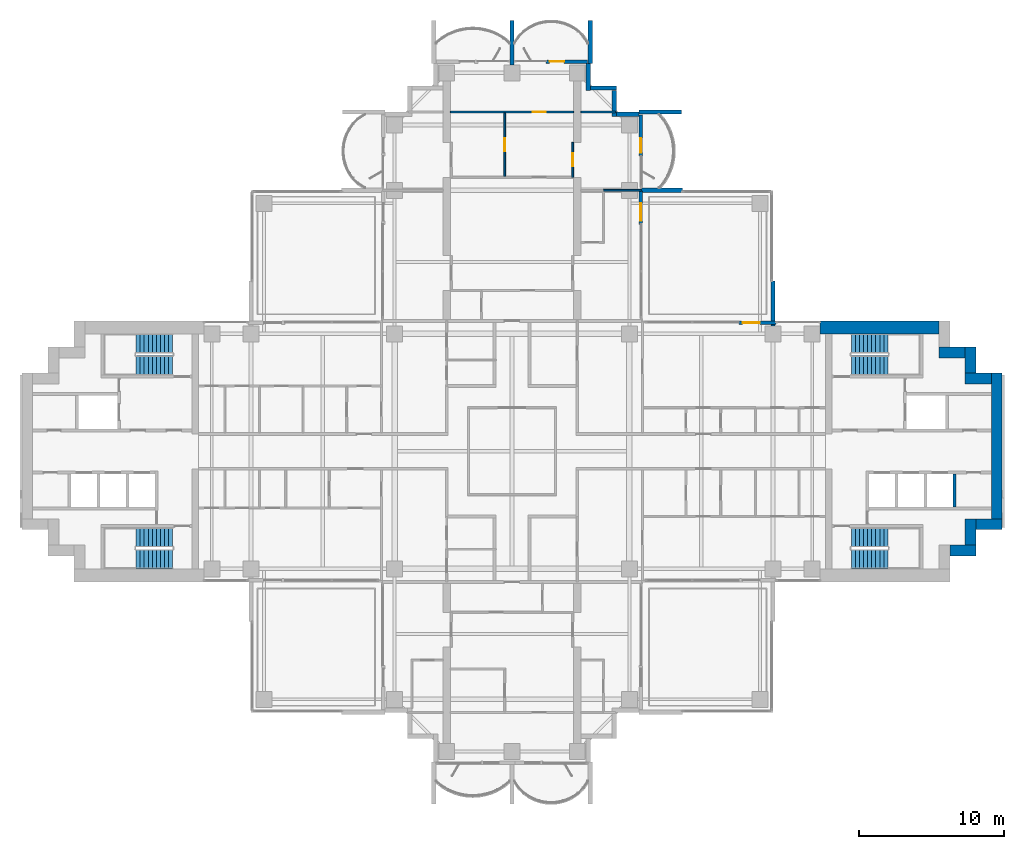
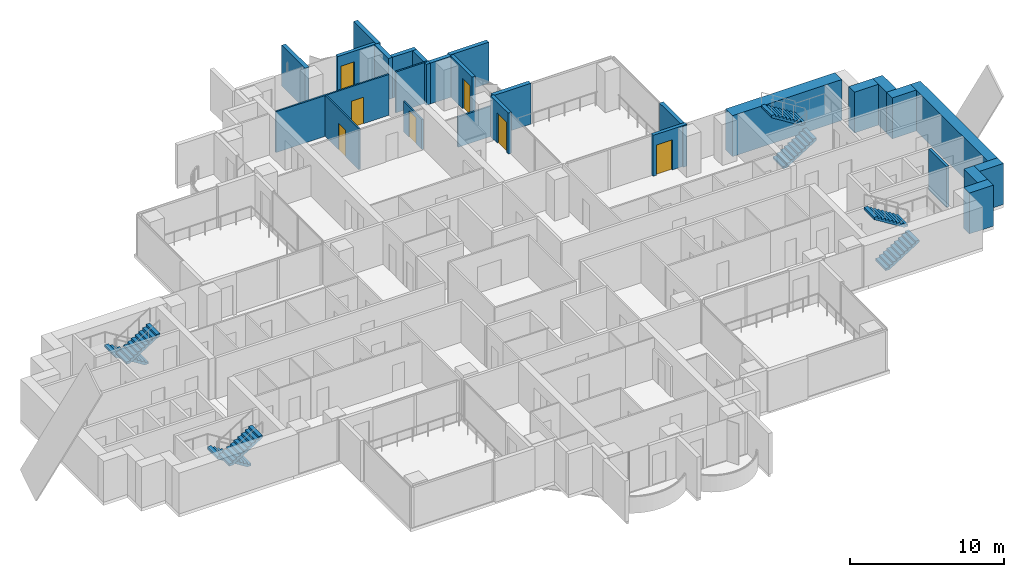
# One storey, part 14 of 18: 27 walls, 8 stair flights, 7 doors, 7 openings, 4 elements without a shape of their own.
"""IFC4 building model written with IfcOpenShell, lengths in metres."""

from ifc_helpers import new_model, si_unit, direction, frame, frame_2d, origin, place, context, subcontext, project, spatial, polyline, rectangle, outline, extrude, material, layer, layer_set, type_object, element, fill, aggregate, save


model = new_model("IFC4")

# Units and contexts
model_context = context("Model", 3, precision=1e-05, world=origin(), true_north=direction((0.0, 1.0)))
body_context = subcontext(model_context, "Body", "Model", "MODEL_VIEW")
ifc_project = project(units=[si_unit("LENGTHUNIT", "METRE"), si_unit("AREAUNIT", "SQUARE_METRE"), si_unit("VOLUMEUNIT", "CUBIC_METRE"), si_unit("PLANEANGLEUNIT", "RADIAN"), si_unit("MASSUNIT", "GRAM", prefix="KILO")], contexts=[model_context])

# Site, building, storey
site_placement = place(None, origin())
site = spatial("IfcSite", under=ifc_project, at=site_placement, CompositionType="ELEMENT")
building_placement = place(site_placement, origin())
building = spatial("IfcBuilding", under=site, at=building_placement, Name="Perihelion Cross Residences", CompositionType="ELEMENT")
storey_placement = place(building_placement, frame((0.0, 0.0, 140.89990234375)))
storey = spatial("IfcBuildingStorey", under=building, at=storey_placement, Name="L34", CompositionType="ELEMENT", Elevation=140.89990234375)

# Wall, opening, door
ifc_material_1 = material(Name="Concrete C30/37, bronze-clad", Category="concrete")
ifc_layer_1 = layer(ifc_material_1, 0.25)
ifc_layer_set_1 = layer_set([ifc_layer_1], Name="Bronze-clad pier wall 250")
wall_type_1 = type_object("IfcWallType", Name="Bronze-clad pier wall 250", PredefinedType="SOLIDWALL", material=ifc_layer_set_1)
wall_1_placement = place(storey_placement, frame((18.199951171875, 8.875, 0.0), z_axis=(0.0, 0.0, 1.0), x_axis=(-1.0, 0.0, 0.0)))
wall_1 = element("IfcWall", 1, at=wall_1_placement, inside=storey, type_object=wall_type_1, Name="Wall FW1 L34 east side north bay 2 pier", PredefinedType="SOLIDWALL", context=body_context, shape_type="SweptSolid", body=[
    extrude(rectangle(XDim=2.550048828125, YDim=0.25, at=frame_2d((1.27490234375, 0.0))), origin(), (0.0, 0.0, 1.0), 3.25),
])
opening_1_placement = place(wall_1_placement, frame((1.10009765625, 0.0, 0.0)))
opening_1 = element("IfcOpeningElement", 2, at=opening_1_placement, cuts=wall_1, Name="Opening L34.E01", PredefinedType="OPENING", context=body_context, shape_type="SweptSolid", body=[
    extrude(rectangle(XDim=1.199951171875, YDim=2.39990234375, at=frame_2d((0.60009765625, 1.199951171875))), frame((0.0, 0.135009765625, 0.0), z_axis=(0.0, -1.0, 0.0), x_axis=(1.0, 0.0, 0.0)), (0.0, 0.0, 1.0), 0.27001953125),
])
ifc_material_2 = material(Name="Bronze anodised aluminium, glazed", Category="aluminium")
door_type_1 = type_object("IfcDoorType", Name="Balcony door 1200 x 2400", OperationType="NOTDEFINED", PredefinedType="DOOR", material=ifc_material_2)
door_1_placement = place(opening_1_placement, origin())
door_1 = element("IfcDoor", 3, at=door_1_placement, inside=storey, type_object=door_type_1, Name="Door L34.E01 east side north bay 2", OperationType="SINGLE_SWING_RIGHT", OverallHeight=2.39990234375, OverallWidth=1.199951171875, PredefinedType="DOOR", context=body_context, shape_type="SweptSolid", body=[
    extrude(rectangle(XDim=1.199951171875, YDim=2.39990234375, at=frame_2d((0.60009765625, 1.199951171875))), frame((0.0, 0.02490234375, 0.0), z_axis=(0.0, -1.0, 0.0), x_axis=(1.0, 0.0, 0.0)), (0.0, 0.0, 1.0), 0.050048828125),
])
fill(opening_1, door_1)

wall_2_placement = place(storey_placement, frame((8.875, 15.64990234375, 0.0), z_axis=(0.0, 0.0, 1.0), x_axis=(0.0, 1.0, 0.0)))
wall_2 = element("IfcWall", 4, at=wall_2_placement, inside=storey, type_object=wall_type_1, Name="Wall FW1 L34 north side east bay 1 pier", PredefinedType="SOLIDWALL", context=body_context, shape_type="SweptSolid", body=[
    extrude(rectangle(XDim=2.2900390625, YDim=0.25, at=frame_2d((1.14501953125, 0.0))), origin(), (0.0, 0.0, 1.0), 3.25),
])
opening_2_placement = place(wall_2_placement, frame((0.25, 0.0, 0.0)))
opening_2 = element("IfcOpeningElement", 5, at=opening_2_placement, cuts=wall_2, Name="Opening L34.E02", PredefinedType="OPENING", context=body_context, shape_type="SweptSolid", body=[
    extrude(rectangle(XDim=1.199951171875, YDim=2.39990234375, at=frame_2d((0.60009765625, 1.199951171875))), frame((0.0, 0.135009765625, 0.0), z_axis=(0.0, -1.0, 0.0), x_axis=(1.0, 0.0, 0.0)), (0.0, 0.0, 1.0), 0.27001953125),
])
door_2_placement = place(opening_2_placement, origin())
door_2 = element("IfcDoor", 6, at=door_2_placement, inside=storey, type_object=door_type_1, Name="Door L34.E02 north side east bay 1", OperationType="SINGLE_SWING_LEFT", OverallHeight=2.39990234375, OverallWidth=1.199951171875, PredefinedType="DOOR", context=body_context, shape_type="SweptSolid", body=[
    extrude(rectangle(XDim=1.199951171875, YDim=2.39990234375, at=frame_2d((0.60009765625, 1.199951171875))), frame((0.0, 0.02490234375, 0.0), z_axis=(0.0, -1.0, 0.0), x_axis=(1.0, 0.0, 0.0)), (0.0, 0.0, 1.0), 0.050048828125),
])
fill(opening_2, door_2)

wall_3_placement = place(storey_placement, frame((8.875, 20.35009765625, 0.0), z_axis=(0.0, 0.0, 1.0), x_axis=(0.0, 1.0, 0.0)))
wall_3 = element("IfcWall", 7, at=wall_3_placement, inside=storey, type_object=wall_type_1, Name="Wall FW1 L34 north side east bay 2 pier", PredefinedType="SOLIDWALL", context=body_context, shape_type="SweptSolid", body=[
    extrude(rectangle(XDim=2.849853515625, YDim=0.25, at=frame_2d((1.4248046875, 0.0))), origin(), (0.0, 0.0, 1.0), 3.25),
])
opening_3_placement = place(wall_3_placement, frame((0.25, 0.0, 0.0)))
opening_3 = element("IfcOpeningElement", 8, at=opening_3_placement, cuts=wall_3, Name="Opening L34.E03", PredefinedType="OPENING", context=body_context, shape_type="SweptSolid", body=[
    extrude(rectangle(XDim=1.0, YDim=2.39990234375, at=frame_2d((0.5, 1.199951171875))), frame((0.0, 0.135009765625, 0.0), z_axis=(0.0, -1.0, 0.0), x_axis=(1.0, 0.0, 0.0)), (0.0, 0.0, 1.0), 0.27001953125),
])
ifc_material_3 = material(Name="Bronze anodised aluminium, glazed", Category="aluminium")
door_type_2 = type_object("IfcDoorType", Name="Balcony door 1000 x 2400", OperationType="NOTDEFINED", PredefinedType="DOOR", material=ifc_material_3)
door_3_placement = place(opening_3_placement, origin())
door_3 = element("IfcDoor", 9, at=door_3_placement, inside=storey, type_object=door_type_2, Name="Door L34.E03 north side east bay 2", OperationType="SINGLE_SWING_RIGHT", OverallHeight=2.39990234375, OverallWidth=1.0, PredefinedType="DOOR", context=body_context, shape_type="SweptSolid", body=[
    extrude(rectangle(XDim=1.0, YDim=2.39990234375, at=frame_2d((0.5, 1.199951171875))), frame((0.0, 0.02490234375, 0.0), z_axis=(0.0, -1.0, 0.0), x_axis=(1.0, 0.0, 0.0)), (0.0, 0.0, 1.0), 0.050048828125),
])
fill(opening_3, door_3)

wall_4_placement = place(storey_placement, frame((5.199951171875, 26.875, 0.0), z_axis=(0.0, 0.0, 1.0), x_axis=(-1.0, 0.0, 0.0)))
wall_4 = element("IfcWall", 10, at=wall_4_placement, inside=storey, type_object=wall_type_1, Name="Wall FW1 L34 north tip north bay 1 pier", PredefinedType="SOLIDWALL", context=body_context, shape_type="SweptSolid", body=[
    extrude(rectangle(XDim=2.849853515625, YDim=0.25, at=frame_2d((1.4248046875, 0.0))), origin(), (0.0, 0.0, 1.0), 3.25),
])
opening_4_placement = place(wall_4_placement, frame((1.60009765625, 0.0, 0.0)))
opening_4 = element("IfcOpeningElement", 11, at=opening_4_placement, cuts=wall_4, Name="Opening L34.E04", PredefinedType="OPENING", context=body_context, shape_type="SweptSolid", body=[
    extrude(rectangle(XDim=1.0, YDim=2.39990234375, at=frame_2d((0.5, 1.199951171875))), frame((0.0, 0.135009765625, 0.0), z_axis=(0.0, -1.0, 0.0), x_axis=(1.0, 0.0, 0.0)), (0.0, 0.0, 1.0), 0.27001953125),
])
door_4_placement = place(opening_4_placement, origin())
door_4 = element("IfcDoor", 12, at=door_4_placement, inside=storey, type_object=door_type_2, Name="Door L34.E04 north tip north bay 1", OperationType="SINGLE_SWING_LEFT", OverallHeight=2.39990234375, OverallWidth=1.0, PredefinedType="DOOR", context=body_context, shape_type="SweptSolid", body=[
    extrude(rectangle(XDim=1.0, YDim=2.39990234375, at=frame_2d((0.5, 1.199951171875))), frame((0.0, 0.02490234375, 0.0), z_axis=(0.0, -1.0, 0.0), x_axis=(1.0, 0.0, 0.0)), (0.0, 0.0, 1.0), 0.050048828125),
])
fill(opening_4, door_4)

# Walls
ifc_material_4 = material(Name="Concrete C30/37, bronze-clad", Category="concrete")
ifc_layer_2 = layer(ifc_material_4, 0.300048828125)
ifc_layer_set_2 = layer_set([ifc_layer_2], Name="Bronze-clad serration wall 300")
wall_type_2 = type_object("IfcWallType", Name="Bronze-clad serration wall 300", PredefinedType="SOLIDWALL", material=ifc_layer_set_2)
wall_5_placement = place(storey_placement, frame((8.75, 23.25, 0.0), z_axis=(0.0, 0.0, 1.0), x_axis=(-1.0, 0.0, 0.0)))
element("IfcWall", 13, at=wall_5_placement, inside=storey, type_object=wall_type_2, Name="Wall SR1 L34 north corner north-east 1", PredefinedType="SOLIDWALL", context=body_context, shape_type="SweptSolid", body=[
    extrude(rectangle(XDim=1.550048828125, YDim=0.300048828125, at=frame_2d((0.77490234375, 0.0))), origin(), (0.0, 0.0, 1.0), 3.25),
])
wall_6_placement = place(storey_placement, frame((7.050048828125, 23.10009765625, 0.0), z_axis=(0.0, 0.0, 1.0), x_axis=(0.0, 1.0, 0.0)))
element("IfcWall", 14, at=wall_6_placement, inside=storey, type_object=wall_type_2, Name="Wall SR1 L34 north corner north-east 2", PredefinedType="SOLIDWALL", context=body_context, shape_type="SweptSolid", body=[
    extrude(rectangle(XDim=1.7998046875, YDim=0.300048828125, at=frame_2d((0.89990234375, 0.0))), origin(), (0.0, 0.0, 1.0), 3.25),
])
wall_7_placement = place(storey_placement, frame((7.199951171875, 25.050048828125, 0.0), z_axis=(0.0, 0.0, 1.0), x_axis=(-1.0, 0.0, 0.0)))
element("IfcWall", 15, at=wall_7_placement, inside=storey, type_object=wall_type_2, Name="Wall SR1 L34 north corner north-east 3", PredefinedType="SOLIDWALL", context=body_context, shape_type="SweptSolid", body=[
    extrude(rectangle(XDim=1.800048828125, YDim=0.300048828125, at=frame_2d((0.89990234375, 0.0))), origin(), (0.0, 0.0, 1.0), 3.25),
])
wall_8_placement = place(storey_placement, frame((5.25, 24.89990234375, 0.0), z_axis=(0.0, 0.0, 1.0), x_axis=(0.0, 1.0, 0.0)))
element("IfcWall", 16, at=wall_8_placement, inside=storey, type_object=wall_type_2, Name="Wall SR1 L34 north corner north-east 4", PredefinedType="SOLIDWALL", context=body_context, shape_type="SweptSolid", body=[
    extrude(rectangle(XDim=1.85009765625, YDim=0.300048828125, at=frame_2d((0.925048828125, 0.0))), origin(), (0.0, 0.0, 1.0), 3.25),
])
ifc_material_5 = material(Name="Concrete C60/75", Category="concrete")
ifc_layer_3 = layer(ifc_material_5, 0.75)
ifc_layer_set_3 = layer_set([ifc_layer_3], Name="Core wall, outer 750")
wall_type_3 = type_object("IfcWallType", Name="Core wall, outer 750", PredefinedType="SHEAR", material=ifc_layer_set_3)
for number, where, z_axis, x_axis, name in (
    (17, (30.199951171875, -6.824951171875, 0.0), (0.0, 0.0, 1.0), (1.0, 0.0, 0.0), "East core core wall, outer"),
    (18, (31.625, -6.449951171875, 0.0), (0.0, 0.0, 1.0), (0.0, 1.0, 0.0), "East core core wall, outer"),
    (19, (32.0, -5.02490234375, 0.0), (0.0, 0.0, 1.0), (1.0, 0.0, 0.0), "East core core wall, outer"),
):
    element("IfcWall", number, at=place(storey_placement, frame(where, z_axis=z_axis, x_axis=x_axis)), inside=storey, type_object=wall_type_3, Name=name, PredefinedType="SHEAR", context=body_context, shape_type="SweptSolid", body=[
        extrude(rectangle(XDim=1.800048828125, YDim=0.75, at=frame_2d((0.89990234375, 0.0))), origin(), (0.0, 0.0, 1.0), 3.25),
    ])
wall_9_placement = place(storey_placement, frame((33.425048828125, -4.64990234375, 0.0), z_axis=(0.0, 0.0, 1.0), x_axis=(0.0, 1.0, 0.0)))
element("IfcWall", 20, at=wall_9_placement, inside=storey, type_object=wall_type_3, Name="East core core wall, outer", PredefinedType="SHEAR", context=body_context, shape_type="SweptSolid", body=[
    extrude(rectangle(XDim=10.0498046875, YDim=0.75, at=frame_2d((5.02490234375, 0.0))), origin(), (0.0, 0.0, 1.0), 3.25),
])
for number, where, z_axis, x_axis, name in (
    (21, (31.25, 5.02490234375, 0.0), (0.0, 0.0, 1.0), (1.0, 0.0, 0.0), "East core core wall, outer"),
    (22, (31.625, 5.39990234375, 0.0), (0.0, 0.0, 1.0), (0.0, 1.0, 0.0), "East core core wall, outer"),
    (23, (29.449951171875, 6.824951171875, 0.0), (0.0, 0.0, 1.0), (1.0, 0.0, 0.0), "East core core wall, outer"),
):
    element("IfcWall", number, at=place(storey_placement, frame(where, z_axis=z_axis, x_axis=x_axis)), inside=storey, type_object=wall_type_3, Name=name, PredefinedType="SHEAR", context=body_context, shape_type="SweptSolid", body=[
        extrude(rectangle(XDim=1.800048828125, YDim=0.75, at=frame_2d((0.89990234375, 0.0))), origin(), (0.0, 0.0, 1.0), 3.25),
    ])
ifc_material_6 = material(Name="Concrete C60/75", Category="concrete")
ifc_layer_4 = layer(ifc_material_6, 0.89990234375)
ifc_layer_set_4 = layer_set([ifc_layer_4], Name="Core wall, outer 900")
wall_type_4 = type_object("IfcWallType", Name="Core wall, outer 900", PredefinedType="SHEAR", material=ifc_layer_set_4)
wall_10_placement = place(storey_placement, frame((21.25, 8.550048828125, 0.0), z_axis=(0.0, 0.0, 1.0), x_axis=(1.0, 0.0, 0.0)))
element("IfcWall", 24, at=wall_10_placement, inside=storey, type_object=wall_type_4, Name="East core core wall, outer", PredefinedType="SHEAR", context=body_context, shape_type="SweptSolid", body=[
    extrude(rectangle(XDim=8.199951171875, YDim=0.89990234375, at=frame_2d((4.10009765625, 0.0))), origin(), (0.0, 0.0, 1.0), 3.25),
])

# Wall, opening, door
ifc_material_7 = material(Name="Plasterboard partition")
ifc_layer_5 = layer(ifc_material_7, 0.1201171875)
ifc_layer_set_5 = layer_set([ifc_layer_5], Name="Infill panel 120")
wall_type_5 = type_object("IfcWallType", Name="Infill panel 120", PredefinedType="PARTITIONING", material=ifc_layer_set_5)
wall_11_placement = place(storey_placement, frame((4.18994140625, 18.89990234375, 0.0), z_axis=(0.0, 0.0, 1.0), x_axis=(0.0, 1.0, 0.0)))
wall_11 = element("IfcWall", 25, at=wall_11_placement, inside=storey, type_object=wall_type_5, Name="Partition L34 WI02", PredefinedType="PARTITIONING", context=body_context, shape_type="SweptSolid", body=[
    extrude(rectangle(XDim=2.400146484375, YDim=0.1201171875, at=frame_2d((1.2001953125, 0.0))), origin(), (0.0, 0.0, 1.0), 2.400146484375),
])
opening_5_placement = place(wall_11_placement, frame((0.75, 0.0, 0.0)))
opening_5 = element("IfcOpeningElement", 26, at=opening_5_placement, cuts=wall_11, Name="Opening L34.A51", PredefinedType="OPENING", context=body_context, shape_type="SweptSolid", body=[
    extrude(rectangle(XDim=0.89990234375, YDim=2.10009765625, at=frame_2d((0.449951171875, 1.050048828125))), frame((0.0, 0.070068359375, 0.0), z_axis=(0.0, -1.0, 0.0), x_axis=(1.0, 0.0, 0.0)), (0.0, 0.0, 1.0), 0.14013671875),
])
ifc_material_8 = material(Name="Timber door leaf", Category="wood")
door_type_3 = type_object("IfcDoorType", Name="Interior room door 900 x 2100", OperationType="SINGLE_SWING_LEFT", PredefinedType="DOOR", material=ifc_material_8)
door_5_placement = place(opening_5_placement, origin())
door_5 = element("IfcDoor", 27, at=door_5_placement, inside=storey, type_object=door_type_3, Name="Door L34.A51", OperationType="SINGLE_SWING_LEFT", OverallHeight=2.10009765625, OverallWidth=0.89990234375, PredefinedType="DOOR", context=body_context, shape_type="SweptSolid", body=[
    extrude(rectangle(XDim=0.89990234375, YDim=2.10009765625, at=frame_2d((0.449951171875, 1.050048828125))), frame((0.0, 0.02490234375, 0.0), z_axis=(0.0, -1.0, 0.0), x_axis=(1.0, 0.0, 0.0)), (0.0, 0.0, 1.0), 0.050048828125),
])
fill(opening_5, door_5)

ifc_material_9 = material(Name="Plasterboard partition")
ifc_layer_6 = layer(ifc_material_9, 0.1201171875)
ifc_layer_set_6 = layer_set([ifc_layer_6], Name="Partition wall 120")
wall_type_6 = type_object("IfcWallType", Name="Partition wall 120", PredefinedType="PARTITIONING", material=ifc_layer_set_6)
wall_12_placement = place(storey_placement, frame((-0.5, 18.9599609375, 0.0), z_axis=(0.0, 0.0, 1.0), x_axis=(0.0, 1.0, 0.0)))
wall_12 = element("IfcWall", 28, at=wall_12_placement, inside=storey, type_object=wall_type_6, Name="Partition L34 W068", PredefinedType="PARTITIONING", context=body_context, shape_type="SweptSolid", body=[
    extrude(rectangle(XDim=4.380126953125, YDim=0.1201171875, at=frame_2d((2.18994140625, 0.0))), origin(), (0.0, 0.0, 1.0), 3.25),
])
opening_6_placement = place(wall_12_placement, frame((1.739990234375, 0.0, 0.0)))
opening_6 = element("IfcOpeningElement", 29, at=opening_6_placement, cuts=wall_12, Name="Opening L34.A36", PredefinedType="OPENING", context=body_context, shape_type="SweptSolid", body=[
    extrude(rectangle(XDim=0.89990234375, YDim=2.10009765625, at=frame_2d((0.449951171875, 1.050048828125))), frame((0.0, 0.070068359375, 0.0), z_axis=(0.0, -1.0, 0.0), x_axis=(1.0, 0.0, 0.0)), (0.0, 0.0, 1.0), 0.14013671875),
])
door_6_placement = place(opening_6_placement, origin())
door_6 = element("IfcDoor", 30, at=door_6_placement, inside=storey, type_object=door_type_3, Name="Door L34.A36", OperationType="SINGLE_SWING_RIGHT", OverallHeight=2.10009765625, OverallWidth=0.89990234375, PredefinedType="DOOR", context=body_context, shape_type="SweptSolid", body=[
    extrude(rectangle(XDim=0.89990234375, YDim=2.10009765625, at=frame_2d((0.449951171875, 1.050048828125))), frame((0.0, 0.02490234375, 0.0), z_axis=(0.0, -1.0, 0.0), x_axis=(1.0, 0.0, 0.0)), (0.0, 0.0, 1.0), 0.050048828125),
])
fill(opening_6, door_6)

wall_13_placement = place(storey_placement, frame((-4.25, 23.39990234375, 0.0), z_axis=(0.0, 0.0, 1.0), x_axis=(1.0, 0.0, 0.0)))
wall_13 = element("IfcWall", 31, at=wall_13_placement, inside=storey, type_object=wall_type_6, Name="Partition L34 W069", PredefinedType="PARTITIONING", context=body_context, shape_type="SweptSolid", body=[
    extrude(rectangle(XDim=8.5, YDim=0.1201171875, at=frame_2d((4.25, 0.0))), origin(), (0.0, 0.0, 1.0), 3.25),
])
opening_7_placement = place(wall_13_placement, frame((5.675048828125, 0.0, 0.0)))
opening_7 = element("IfcOpeningElement", 32, at=opening_7_placement, cuts=wall_13, Name="Opening L34.A37", PredefinedType="OPENING", context=body_context, shape_type="SweptSolid", body=[
    extrude(rectangle(XDim=0.89990234375, YDim=2.10009765625, at=frame_2d((0.449951171875, 1.050048828125))), frame((0.0, 0.070068359375, 0.0), z_axis=(0.0, -1.0, 0.0), x_axis=(1.0, 0.0, 0.0)), (0.0, 0.0, 1.0), 0.14013671875),
])
door_7_placement = place(opening_7_placement, origin())
door_7 = element("IfcDoor", 33, at=door_7_placement, inside=storey, type_object=door_type_3, Name="Door L34.A37", OperationType="SINGLE_SWING_LEFT", OverallHeight=2.10009765625, OverallWidth=0.89990234375, PredefinedType="DOOR", context=body_context, shape_type="SweptSolid", body=[
    extrude(rectangle(XDim=0.89990234375, YDim=2.10009765625, at=frame_2d((0.449951171875, 1.050048828125))), frame((0.0, 0.02490234375, 0.0), z_axis=(0.0, -1.0, 0.0), x_axis=(1.0, 0.0, 0.0)), (0.0, 0.0, 1.0), 0.050048828125),
])
fill(opening_7, door_7)

# Walls
wall_14_placement = place(storey_placement, frame((6.300048828125, 18.0, 0.0), z_axis=(0.0, 0.0, 1.0), x_axis=(1.0, 0.0, 0.0)))
element("IfcWall", 34, at=wall_14_placement, inside=storey, type_object=wall_type_6, Name="Partition L34 W072", PredefinedType="PARTITIONING", context=body_context, shape_type="SweptSolid", body=[
    extrude(rectangle(XDim=2.619873046875, YDim=0.1201171875, at=frame_2d((1.31005859375, 0.0))), origin(), (0.0, 0.0, 1.0), 2.4140625),
])
wall_15_placement = place(storey_placement, frame((4.75, 23.39990234375, 0.0), z_axis=(0.0, 0.0, 1.0), x_axis=(1.0, 0.0, 0.0)))
element("IfcWall", 35, at=wall_15_placement, inside=storey, type_object=wall_type_6, Name="Partition L34 W074", PredefinedType="PARTITIONING", context=body_context, shape_type="SweptSolid", body=[
    extrude(rectangle(XDim=2.3701171875, YDim=0.1201171875, at=frame_2d((1.18505859375, 0.0))), origin(), (0.0, 0.0, 1.0), 3.25),
])
ifc_material_10 = material(Name="Precast concrete C50/60", Category="concrete")
ifc_layer_7 = layer(ifc_material_10, 0.300048828125)
ifc_layer_set_7 = layer_set([ifc_layer_7], Name="Precast concrete C50/60 blade wall 300")
wall_type_7 = type_object("IfcWallType", Name="Precast concrete C50/60 blade wall 300", PredefinedType="SOLIDWALL", material=ifc_layer_set_7)
wall_16_placement = place(storey_placement, frame((0.0, 26.64990234375, 0.0), z_axis=(0.0, 0.0, 1.0), x_axis=(0.0, 1.0, 0.0)))
element("IfcWall", 36, at=wall_16_placement, inside=storey, type_object=wall_type_7, Name="Wall BL1 L34 no. 9", PredefinedType="SOLIDWALL", context=body_context, shape_type="SweptSolid", body=[
    extrude(rectangle(XDim=3.050048828125, YDim=0.300048828125, at=frame_2d((1.52490234375, 0.0))), origin(), (0.0, 0.0, 1.0), 3.25),
])
wall_17_placement = place(storey_placement, frame((5.39990234375, 26.75, 0.0), z_axis=(0.0, 0.0, 1.0), x_axis=(0.0, 1.0, 0.0)))
element("IfcWall", 37, at=wall_17_placement, inside=storey, type_object=wall_type_7, Name="Wall BL1 L34 no. 13", PredefinedType="SOLIDWALL", context=body_context, shape_type="SweptSolid", body=[
    extrude(rectangle(XDim=2.949951171875, YDim=0.300048828125, at=frame_2d((1.47509765625, 0.0))), origin(), (0.0, 0.0, 1.0), 3.25),
])
wall_18_placement = place(storey_placement, frame((8.919921875, 18.0, 0.0), z_axis=(0.0, 0.0, 1.0), x_axis=(1.0, 0.0, 0.0)))
element("IfcWall", 38, at=wall_18_placement, inside=storey, type_object=wall_type_7, Name="Wall BL1 L34 no. 15", PredefinedType="SOLIDWALL", context=body_context, shape_type="SweptSolid", body=[
    extrude(rectangle(XDim=2.820068359375, YDim=0.300048828125, at=frame_2d((1.41015625, 0.0))), origin(), (0.0, 0.0, 1.0), 3.25),
])
wall_19_placement = place(storey_placement, frame((8.75, 23.39990234375, 0.0), z_axis=(0.0, 0.0, 1.0), x_axis=(1.0, 0.0, 0.0)))
element("IfcWall", 39, at=wall_19_placement, inside=storey, type_object=wall_type_7, Name="Wall BL1 L34 no. 16", PredefinedType="SOLIDWALL", context=body_context, shape_type="SweptSolid", body=[
    extrude(rectangle(XDim=2.949951171875, YDim=0.300048828125, at=frame_2d((1.47509765625, 0.0))), origin(), (0.0, 0.0, 1.0), 3.25),
])
wall_20_placement = place(storey_placement, frame((18.0, 8.64990234375, 0.0), z_axis=(0.0, 0.0, 1.0), x_axis=(0.0, 1.0, 0.0)))
element("IfcWall", 40, at=wall_20_placement, inside=storey, type_object=wall_type_7, Name="Wall BL1 L34 no. 11", PredefinedType="SOLIDWALL", context=body_context, shape_type="SweptSolid", body=[
    extrude(rectangle(XDim=3.090087890625, YDim=0.300048828125, at=frame_2d((1.544921875, 0.0))), origin(), (0.0, 0.0, 1.0), 3.25),
])
ifc_material_11 = material(Name="Concrete C50/60", Category="concrete")
ifc_layer_8 = layer(ifc_material_11, 0.199951171875)
ifc_layer_set_8 = layer_set([ifc_layer_8], Name="Shaft wall 200")
wall_type_8 = type_object("IfcWallType", Name="Shaft wall 200", PredefinedType="SOLIDWALL", material=ifc_layer_set_8)
wall_21_placement = place(storey_placement, frame((30.5, -3.85009765625, 0.0), z_axis=(0.0, 0.0, 1.0), x_axis=(0.0, 1.0, 0.0)))
element("IfcWall", 41, at=wall_21_placement, inside=storey, type_object=wall_type_8, Name="East core shaft wall", PredefinedType="SOLIDWALL", context=body_context, shape_type="SweptSolid", body=[
    extrude(rectangle(XDim=2.300048828125, YDim=0.199951171875, at=frame_2d((1.14990234375, 0.0))), origin(), (0.0, 0.0, 1.0), 3.25),
])

# Stair, stair flights
ifc_material_12 = material(Name="Concrete C40/50", Category="concrete")
stair_type = type_object("IfcStairType", Name="Exit stair, half-turn", PredefinedType="HALF_TURN_STAIR", material=ifc_material_12)
stair_1_placement = place(storey_placement, origin())
stair_1 = element("IfcStair", 42, at=stair_1_placement, inside=storey, type_object=stair_type, Name="L34 East core exit stair 1", PredefinedType="HALF_TURN_STAIR")
ifc_material_13 = material(Name="Concrete C40/50", Category="concrete")
stair_flight_type = type_object("IfcStairFlightType", Name="Exit stair flight", PredefinedType="STRAIGHT", material=ifc_material_13)
stair_flight_1_placement = place(storey_placement, frame((23.39990234375, 5.925048828125, 0.0), z_axis=(0.0, 0.0, 1.0), x_axis=(1.0, 0.0, 0.0)))
stair_flight_1 = element("IfcStairFlight", 43, at=stair_flight_1_placement, type_object=stair_flight_type, Name="ST-E1 flight 1", NumberOfRisers=10, NumberOfTreads=9, PredefinedType="STRAIGHT", RiserHeight=0.175, TreadLength=0.28, context=body_context, shape_type="SweptSolid", body=[
    extrude(outline(polyline([(0.0, 0.0), (0.0, 0.175048828125), (0.280029296875, 0.175048828125), (0.280029296875, 0.35009765625), (0.56005859375, 0.35009765625), (0.56005859375, 0.52490234375), (0.840087890625, 0.52490234375), (0.840087890625, 0.699951171875), (1.1201171875, 0.699951171875), (1.1201171875, 0.875), (1.39990234375, 0.875), (1.39990234375, 1.050048828125), (1.679931640625, 1.050048828125), (1.679931640625, 1.22509765625), (1.9599609375, 1.22509765625), (1.9599609375, 1.39990234375), (2.239990234375, 1.39990234375), (2.239990234375, 1.574951171875), (2.52001953125, 1.574951171875), (2.52001953125, 1.75), (2.52001953125, 1.398193359375), (0.28271484375, 0.0), (0.0, 0.0)])), frame((0.0, 0.675048828125, 0.0), z_axis=(0.0, -1.0, 0.0), x_axis=(1.0, 0.0, 0.0)), (0.0, 0.0, 1.0), 1.35009765625),
])
stair_flight_2_placement = place(storey_placement, frame((25.919921875, 7.425048828125, 1.75), z_axis=(0.0, 0.0, 1.0), x_axis=(-1.0, 0.0, 0.0)))
stair_flight_2 = element("IfcStairFlight", 44, at=stair_flight_2_placement, type_object=stair_flight_type, Name="ST-E1 flight 2", NumberOfRisers=10, NumberOfTreads=9, PredefinedType="STRAIGHT", RiserHeight=0.175, TreadLength=0.28, context=body_context, shape_type="SweptSolid", body=[
    extrude(outline(polyline([(0.0, 0.0), (0.0, 0.175048828125), (0.280029296875, 0.175048828125), (0.280029296875, 0.35009765625), (0.56005859375, 0.35009765625), (0.56005859375, 0.52490234375), (0.840087890625, 0.52490234375), (0.840087890625, 0.699951171875), (1.1201171875, 0.699951171875), (1.1201171875, 0.875), (1.39990234375, 0.875), (1.39990234375, 1.050048828125), (1.679931640625, 1.050048828125), (1.679931640625, 1.22509765625), (1.9599609375, 1.22509765625), (1.9599609375, 1.39990234375), (2.239990234375, 1.39990234375), (2.239990234375, 1.574951171875), (2.52001953125, 1.574951171875), (2.52001953125, 1.75), (2.52001953125, 1.398193359375), (0.28271484375, 0.0), (0.0, 0.0)])), frame((0.0, 0.675048828125, 0.0), z_axis=(0.0, -1.0, 0.0), x_axis=(1.0, 0.0, 0.0)), (0.0, 0.0, 1.0), 1.35009765625),
])
aggregate(stair_1, [stair_flight_1, stair_flight_2])

stair_2_placement = place(storey_placement, origin())
stair_2 = element("IfcStair", 45, at=stair_2_placement, inside=storey, type_object=stair_type, Name="L34 East core exit stair 2", PredefinedType="HALF_TURN_STAIR")
stair_flight_3_placement = place(storey_placement, frame((23.39990234375, -7.425048828125, 0.0), z_axis=(0.0, 0.0, 1.0), x_axis=(1.0, 0.0, 0.0)))
stair_flight_3 = element("IfcStairFlight", 46, at=stair_flight_3_placement, type_object=stair_flight_type, Name="ST-E2 flight 1", NumberOfRisers=10, NumberOfTreads=9, PredefinedType="STRAIGHT", RiserHeight=0.175, TreadLength=0.28, context=body_context, shape_type="SweptSolid", body=[
    extrude(outline(polyline([(0.0, 0.0), (0.0, 0.175048828125), (0.280029296875, 0.175048828125), (0.280029296875, 0.35009765625), (0.56005859375, 0.35009765625), (0.56005859375, 0.52490234375), (0.840087890625, 0.52490234375), (0.840087890625, 0.699951171875), (1.1201171875, 0.699951171875), (1.1201171875, 0.875), (1.39990234375, 0.875), (1.39990234375, 1.050048828125), (1.679931640625, 1.050048828125), (1.679931640625, 1.22509765625), (1.9599609375, 1.22509765625), (1.9599609375, 1.39990234375), (2.239990234375, 1.39990234375), (2.239990234375, 1.574951171875), (2.52001953125, 1.574951171875), (2.52001953125, 1.75), (2.52001953125, 1.398193359375), (0.28271484375, 0.0), (0.0, 0.0)])), frame((0.0, 0.675048828125, 0.0), z_axis=(0.0, -1.0, 0.0), x_axis=(1.0, 0.0, 0.0)), (0.0, 0.0, 1.0), 1.35009765625),
])
stair_flight_4_placement = place(storey_placement, frame((25.919921875, -5.925048828125, 1.75), z_axis=(0.0, 0.0, 1.0), x_axis=(-1.0, 0.0, 0.0)))
stair_flight_4 = element("IfcStairFlight", 47, at=stair_flight_4_placement, type_object=stair_flight_type, Name="ST-E2 flight 2", NumberOfRisers=10, NumberOfTreads=9, PredefinedType="STRAIGHT", RiserHeight=0.175, TreadLength=0.28, context=body_context, shape_type="SweptSolid", body=[
    extrude(outline(polyline([(0.0, 0.0), (0.0, 0.175048828125), (0.280029296875, 0.175048828125), (0.280029296875, 0.35009765625), (0.56005859375, 0.35009765625), (0.56005859375, 0.52490234375), (0.840087890625, 0.52490234375), (0.840087890625, 0.699951171875), (1.1201171875, 0.699951171875), (1.1201171875, 0.875), (1.39990234375, 0.875), (1.39990234375, 1.050048828125), (1.679931640625, 1.050048828125), (1.679931640625, 1.22509765625), (1.9599609375, 1.22509765625), (1.9599609375, 1.39990234375), (2.239990234375, 1.39990234375), (2.239990234375, 1.574951171875), (2.52001953125, 1.574951171875), (2.52001953125, 1.75), (2.52001953125, 1.398193359375), (0.28271484375, 0.0), (0.0, 0.0)])), frame((0.0, 0.675048828125, 0.0), z_axis=(0.0, -1.0, 0.0), x_axis=(1.0, 0.0, 0.0)), (0.0, 0.0, 1.0), 1.35009765625),
])
aggregate(stair_2, [stair_flight_3, stair_flight_4])

stair_3_placement = place(storey_placement, origin())
stair_3 = element("IfcStair", 48, at=stair_3_placement, inside=storey, type_object=stair_type, Name="L34 West core exit stair 1", PredefinedType="HALF_TURN_STAIR")
stair_flight_5_placement = place(storey_placement, frame((-23.39990234375, 7.425048828125, 0.0), z_axis=(0.0, 0.0, 1.0), x_axis=(-1.0, 0.0, 0.0)))
stair_flight_5 = element("IfcStairFlight", 49, at=stair_flight_5_placement, type_object=stair_flight_type, Name="ST-W1 flight 1", NumberOfRisers=10, NumberOfTreads=9, PredefinedType="STRAIGHT", RiserHeight=0.175, TreadLength=0.28, context=body_context, shape_type="SweptSolid", body=[
    extrude(outline(polyline([(0.0, 0.0), (0.0, 0.175048828125), (0.280029296875, 0.175048828125), (0.280029296875, 0.35009765625), (0.56005859375, 0.35009765625), (0.56005859375, 0.52490234375), (0.840087890625, 0.52490234375), (0.840087890625, 0.699951171875), (1.1201171875, 0.699951171875), (1.1201171875, 0.875), (1.39990234375, 0.875), (1.39990234375, 1.050048828125), (1.679931640625, 1.050048828125), (1.679931640625, 1.22509765625), (1.9599609375, 1.22509765625), (1.9599609375, 1.39990234375), (2.239990234375, 1.39990234375), (2.239990234375, 1.574951171875), (2.52001953125, 1.574951171875), (2.52001953125, 1.75), (2.52001953125, 1.398193359375), (0.28271484375, 0.0), (0.0, 0.0)])), frame((0.0, 0.675048828125, 0.0), z_axis=(0.0, -1.0, 0.0), x_axis=(1.0, 0.0, 0.0)), (0.0, 0.0, 1.0), 1.35009765625),
])
stair_flight_6_placement = place(storey_placement, frame((-25.919921875, 5.925048828125, 1.75), z_axis=(0.0, 0.0, 1.0), x_axis=(1.0, 0.0, 0.0)))
stair_flight_6 = element("IfcStairFlight", 50, at=stair_flight_6_placement, type_object=stair_flight_type, Name="ST-W1 flight 2", NumberOfRisers=10, NumberOfTreads=9, PredefinedType="STRAIGHT", RiserHeight=0.175, TreadLength=0.28, context=body_context, shape_type="SweptSolid", body=[
    extrude(outline(polyline([(0.0, 0.0), (0.0, 0.175048828125), (0.280029296875, 0.175048828125), (0.280029296875, 0.35009765625), (0.56005859375, 0.35009765625), (0.56005859375, 0.52490234375), (0.840087890625, 0.52490234375), (0.840087890625, 0.699951171875), (1.1201171875, 0.699951171875), (1.1201171875, 0.875), (1.39990234375, 0.875), (1.39990234375, 1.050048828125), (1.679931640625, 1.050048828125), (1.679931640625, 1.22509765625), (1.9599609375, 1.22509765625), (1.9599609375, 1.39990234375), (2.239990234375, 1.39990234375), (2.239990234375, 1.574951171875), (2.52001953125, 1.574951171875), (2.52001953125, 1.75), (2.52001953125, 1.398193359375), (0.28271484375, 0.0), (0.0, 0.0)])), frame((0.0, 0.675048828125, 0.0), z_axis=(0.0, -1.0, 0.0), x_axis=(1.0, 0.0, 0.0)), (0.0, 0.0, 1.0), 1.35009765625),
])
aggregate(stair_3, [stair_flight_5, stair_flight_6])

stair_4_placement = place(storey_placement, origin())
stair_4 = element("IfcStair", 51, at=stair_4_placement, inside=storey, type_object=stair_type, Name="L34 West core exit stair 2", PredefinedType="HALF_TURN_STAIR")
stair_flight_7_placement = place(storey_placement, frame((-23.39990234375, -5.925048828125, 0.0), z_axis=(0.0, 0.0, 1.0), x_axis=(-1.0, 0.0, 0.0)))
stair_flight_7 = element("IfcStairFlight", 52, at=stair_flight_7_placement, type_object=stair_flight_type, Name="ST-W2 flight 1", NumberOfRisers=10, NumberOfTreads=9, PredefinedType="STRAIGHT", RiserHeight=0.175, TreadLength=0.28, context=body_context, shape_type="SweptSolid", body=[
    extrude(outline(polyline([(0.0, 0.0), (0.0, 0.175048828125), (0.280029296875, 0.175048828125), (0.280029296875, 0.35009765625), (0.56005859375, 0.35009765625), (0.56005859375, 0.52490234375), (0.840087890625, 0.52490234375), (0.840087890625, 0.699951171875), (1.1201171875, 0.699951171875), (1.1201171875, 0.875), (1.39990234375, 0.875), (1.39990234375, 1.050048828125), (1.679931640625, 1.050048828125), (1.679931640625, 1.22509765625), (1.9599609375, 1.22509765625), (1.9599609375, 1.39990234375), (2.239990234375, 1.39990234375), (2.239990234375, 1.574951171875), (2.52001953125, 1.574951171875), (2.52001953125, 1.75), (2.52001953125, 1.398193359375), (0.28271484375, 0.0), (0.0, 0.0)])), frame((0.0, 0.675048828125, 0.0), z_axis=(0.0, -1.0, 0.0), x_axis=(1.0, 0.0, 0.0)), (0.0, 0.0, 1.0), 1.35009765625),
])
stair_flight_8_placement = place(storey_placement, frame((-25.919921875, -7.425048828125, 1.75), z_axis=(0.0, 0.0, 1.0), x_axis=(1.0, 0.0, 0.0)))
stair_flight_8 = element("IfcStairFlight", 53, at=stair_flight_8_placement, type_object=stair_flight_type, Name="ST-W2 flight 2", NumberOfRisers=10, NumberOfTreads=9, PredefinedType="STRAIGHT", RiserHeight=0.175, TreadLength=0.28, context=body_context, shape_type="SweptSolid", body=[
    extrude(outline(polyline([(0.0, 0.0), (0.0, 0.175048828125), (0.280029296875, 0.175048828125), (0.280029296875, 0.35009765625), (0.56005859375, 0.35009765625), (0.56005859375, 0.52490234375), (0.840087890625, 0.52490234375), (0.840087890625, 0.699951171875), (1.1201171875, 0.699951171875), (1.1201171875, 0.875), (1.39990234375, 0.875), (1.39990234375, 1.050048828125), (1.679931640625, 1.050048828125), (1.679931640625, 1.22509765625), (1.9599609375, 1.22509765625), (1.9599609375, 1.39990234375), (2.239990234375, 1.39990234375), (2.239990234375, 1.574951171875), (2.52001953125, 1.574951171875), (2.52001953125, 1.75), (2.52001953125, 1.398193359375), (0.28271484375, 0.0), (0.0, 0.0)])), frame((0.0, 0.675048828125, 0.0), z_axis=(0.0, -1.0, 0.0), x_axis=(1.0, 0.0, 0.0)), (0.0, 0.0, 1.0), 1.35009765625),
])
aggregate(stair_4, [stair_flight_7, stair_flight_8])

save(model, "model.ifc")
